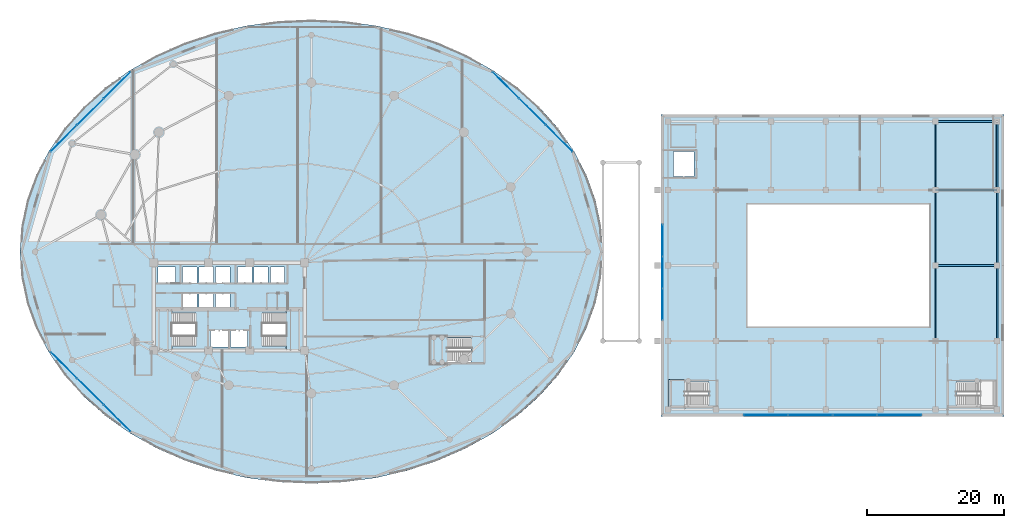
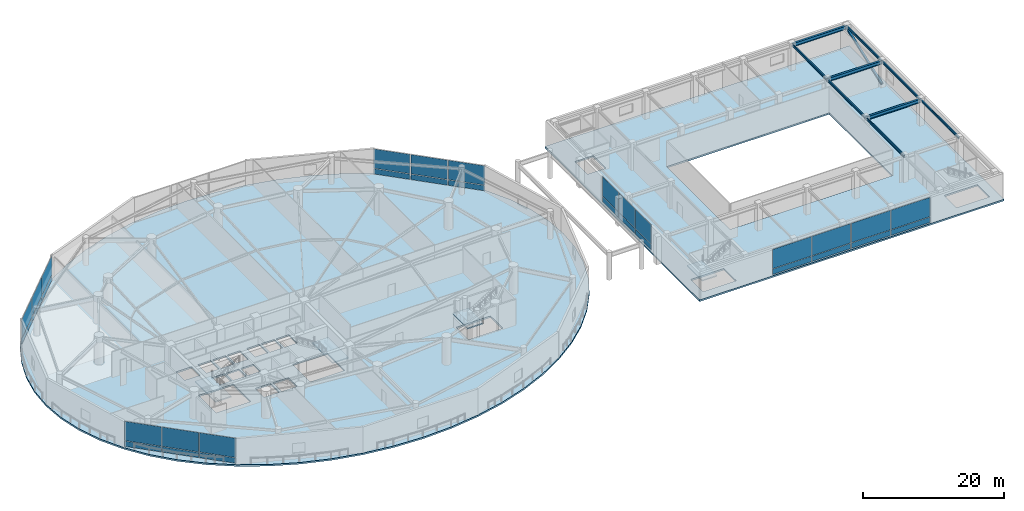
# One storey, part 24 of 40: 32 plates, 9 beams, 6 slabs, 1 member, 10 elements without a shape of their own.
"""IFC4 building model written with IfcOpenShell, lengths in metres."""

from ifc_helpers import new_model, si_unit, direction, frame, origin, origin_2d, place, context, subcontext, project, spatial, polyline, rectangle, hollow_rectangle, i_section, outline, extrude, material, layer, layer_set, material_profile, profile_set, type_object, element, aggregate, save


model = new_model("IFC4")

# Units and contexts
model_context = context("Model", 3, precision=1e-05, world=origin(), true_north=direction((0.0, 1.0)))
body_context = subcontext(model_context, "Body", "Model", "MODEL_VIEW")
ifc_project = project(units=[si_unit("LENGTHUNIT", "METRE"), si_unit("AREAUNIT", "SQUARE_METRE"), si_unit("VOLUMEUNIT", "CUBIC_METRE"), si_unit("PLANEANGLEUNIT", "RADIAN"), si_unit("MASSUNIT", "GRAM", prefix="KILO")], contexts=[model_context])

# Site, building, storey
site_placement = place(None, origin())
site = spatial("IfcSite", under=ifc_project, at=site_placement, CompositionType="ELEMENT")
building_placement = place(site_placement, origin())
building = spatial("IfcBuilding", under=site, at=building_placement, Name="Kazevale Care Tower and Concert Hall", CompositionType="ELEMENT")
storey_placement = place(building_placement, frame((0.0, 0.0, 4.800048828125)))
storey = spatial("IfcBuildingStorey", under=building, at=storey_placement, Name="L01", CompositionType="ELEMENT", Elevation=4.800048828125)

# Beams
ifc_material_1 = material(Name="Steel ASTM A572 Gr 50", Category="steel")
ifc_material_profile_1 = material_profile(ifc_material_1, i_section(OverallWidth=0.323974609375, OverallDepth=0.611083984375, WebThickness=0.0126953125, FlangeThickness=0.01904296875, at=origin_2d()), Name="W610x155")
ifc_profile_set_1 = profile_set([ifc_material_profile_1], Name="Steel ASTM A572 Gr 50")
beam_type_1 = type_object("IfcBeamType", Name="Concert Hall Frame Girder W610x155", PredefinedType="BEAM", material=ifc_profile_set_1)
for number, where, z_axis, x_axis, name in (
    (1, (136.0, 36.0, 4.21435546875), (1.0, 0.0, 0.0), (0.0, 1.0, 0.0), "beam:L01:hx:136_36"),
    (2, (136.0, 47.0, 4.21435546875), (1.0, 0.0, 0.0), (0.0, 1.0, 0.0), "beam:L01:hx:136_47"),
    (3, (136.0, 57.0, 4.21435546875), (1.0, 0.0, 0.0), (0.0, 1.0, 0.0), "beam:L01:hx:136_57"),
):
    element("IfcBeam", number, at=place(storey_placement, frame(where, z_axis=z_axis, x_axis=x_axis)), inside=storey, type_object=beam_type_1, Name=name, PredefinedType="BEAM", context=body_context, shape_type="SweptSolid", body=[
        extrude(i_section(OverallWidth=0.323974609375, OverallDepth=0.611083984375, WebThickness=0.0126953125, FlangeThickness=0.01904296875, at=origin_2d()), origin(), (0.0, 0.0, 1.0), 9.0),
    ])
ifc_material_profile_2 = material_profile(ifc_material_1, i_section(OverallWidth=0.180908203125, OverallDepth=0.4169921875, WebThickness=0.010986328125, FlangeThickness=0.018310546875, at=origin_2d()), Name="W410x85")
ifc_profile_set_2 = profile_set([ifc_material_profile_2], Name="Steel ASTM A572 Gr 50")
beam_type_2 = type_object("IfcBeamType", Name="Concert Hall Secondary Beam W410x85", PredefinedType="BEAM", material=ifc_profile_set_2)
for number, where, z_axis, x_axis, name in (
    (4, (136.0, 25.0, 4.3115234375), (0.0, 1.0, 0.0), (-1.0, 0.0, 0.0), "beam:L01:hy:136_25"),
    (5, (136.0, 36.0, 4.3115234375), (0.0, 1.0, 0.0), (-1.0, 0.0, 0.0), "beam:L01:hy:136_36"),
):
    element("IfcBeam", number, at=place(storey_placement, frame(where, z_axis=z_axis, x_axis=x_axis)), inside=storey, type_object=beam_type_2, Name=name, PredefinedType="BEAM", context=body_context, shape_type="SweptSolid", body=[
        extrude(i_section(OverallWidth=0.180908203125, OverallDepth=0.4169921875, WebThickness=0.010986328125, FlangeThickness=0.018310546875, at=origin_2d()), origin(), (0.0, 0.0, 1.0), 11.0),
    ])
beam_1_placement = place(storey_placement, frame((136.0, 47.0, 4.3115234375), z_axis=(0.0, 1.0, 0.0), x_axis=(-1.0, 0.0, 0.0)))
element("IfcBeam", 6, at=beam_1_placement, inside=storey, type_object=beam_type_2, Name="beam:L01:hy:136_47", PredefinedType="BEAM", context=body_context, shape_type="SweptSolid", body=[
    extrude(i_section(OverallWidth=0.180908203125, OverallDepth=0.4169921875, WebThickness=0.010986328125, FlangeThickness=0.018310546875, at=origin_2d()), origin(), (0.0, 0.0, 1.0), 10.0),
])
for number, where, z_axis, x_axis, name in (
    (7, (145.0, 25.0, 4.3115234375), (0.0, 1.0, 0.0), (-1.0, 0.0, 0.0), "beam:L01:hy:145_25"),
    (8, (145.0, 36.0, 4.3115234375), (0.0, 1.0, 0.0), (-1.0, 0.0, 0.0), "beam:L01:hy:145_36"),
):
    element("IfcBeam", number, at=place(storey_placement, frame(where, z_axis=z_axis, x_axis=x_axis)), inside=storey, type_object=beam_type_2, Name=name, PredefinedType="BEAM", context=body_context, shape_type="SweptSolid", body=[
        extrude(i_section(OverallWidth=0.180908203125, OverallDepth=0.4169921875, WebThickness=0.010986328125, FlangeThickness=0.018310546875, at=origin_2d()), origin(), (0.0, 0.0, 1.0), 11.0),
    ])
beam_2_placement = place(storey_placement, frame((145.0, 47.0, 4.3115234375), z_axis=(0.0, 1.0, 0.0), x_axis=(-1.0, 0.0, 0.0)))
element("IfcBeam", 9, at=beam_2_placement, inside=storey, type_object=beam_type_2, Name="beam:L01:hy:145_47", PredefinedType="BEAM", context=body_context, shape_type="SweptSolid", body=[
    extrude(i_section(OverallWidth=0.180908203125, OverallDepth=0.4169921875, WebThickness=0.010986328125, FlangeThickness=0.018310546875, at=origin_2d()), origin(), (0.0, 0.0, 1.0), 10.0),
])

# Member
ifc_material_profile_3 = material_profile(ifc_material_1, hollow_rectangle(XDim=0.300048828125, YDim=0.300048828125, WallThickness=0.02001953125, at=origin_2d()), Name="SHS300x300x20")
ifc_profile_set_3 = profile_set([ifc_material_profile_3], Name="Steel ASTM A572 Gr 50")
member_type = type_object("IfcMemberType", Name="Concert Hall Wall Brace SHS300x300x20", PredefinedType="BRACE", material=ifc_profile_set_3)
member_placement = place(storey_placement, frame((145.0, 47.0, 0.39990234375), z_axis=(0.0, 0.940283079424, 0.340393493694), x_axis=(-1.0, 0.0, 0.0)))
element("IfcMember", 10, at=member_placement, inside=storey, type_object=member_type, Name="brace:L01:hwW", PredefinedType="BRACE", context=body_context, shape_type="SweptSolid", body=[
    extrude(hollow_rectangle(XDim=0.300048828125, YDim=0.300048828125, WallThickness=0.02001953125, at=origin_2d()), origin(), (0.0, 0.0, 1.0), 10.635009765625),
])

# Curtain wall, plates
ifc_material_2 = material(Name="Aluminium 6063-T6 and Low-E Glass", Category="aluminium")
ifc_layer_1 = layer(ifc_material_2, 0.179931640625)
ifc_layer_set_1 = layer_set([ifc_layer_1], Name="Aluminium 6063-T6 and Low-E Glass")
curtain_wall_type_1 = type_object("IfcCurtainWallType", Name="Podium Double-Skin Medical Curtain Wall CW-1", PredefinedType="NOTDEFINED", material=ifc_layer_set_1)
curtain_wall_1_placement = place(storey_placement, origin())
curtain_wall_1 = element("IfcCurtainWall", 11, at=curtain_wall_1_placement, inside=storey, type_object=curtain_wall_type_1, Name="cw:L01:pod:02", PredefinedType="NOTDEFINED")
ifc_material_3 = material(Name="Low-E Laminated Glass", Category="glass")
ifc_layer_2 = layer(ifc_material_3, 0.030029296875)
ifc_layer_set_2 = layer_set([ifc_layer_2], Name="Low-E Laminated Glass")
plate_type_1 = type_object("IfcPlateType", Name="CW-1 Low-E Glazing Panel 30mm", PredefinedType="CURTAIN_PANEL", material=ifc_layer_set_2)
plate_1_placement = place(storey_placement, frame((81.121826171875, 54.533203125, 0.080078125), z_axis=(0.0, 0.0, 1.0), x_axis=(-0.708554776856, 0.705655814257, 0.0)))
plate_1 = element("IfcPlate", 12, at=plate_1_placement, type_object=plate_type_1, Name="CW-1 panel 1.1", PredefinedType="CURTAIN_PANEL", context=body_context, shape_type="SweptSolid", body=[
    extrude(rectangle(XDim=5.38427734375, YDim=0.030029296875, at=origin_2d()), origin(), (0.0, 0.0, 1.0), 0.929931640625),
])
plate_2_placement = place(storey_placement, frame((81.121826171875, 54.533203125, 1.08984375), z_axis=(0.0, 0.0, 1.0), x_axis=(-0.708554776856, 0.705655814257, 0.0)))
plate_2 = element("IfcPlate", 13, at=plate_2_placement, type_object=plate_type_1, Name="CW-1 panel 1.2", PredefinedType="CURTAIN_PANEL", context=body_context, shape_type="SweptSolid", body=[
    extrude(rectangle(XDim=5.38427734375, YDim=0.030029296875, at=origin_2d()), origin(), (0.0, 0.0, 1.0), 3.35009765625),
])
plate_3_placement = place(storey_placement, frame((77.22705078125, 58.412109375, 0.080078125), z_axis=(0.0, 0.0, 1.0), x_axis=(-0.708554776856, 0.705655814257, 0.0)))
plate_3 = element("IfcPlate", 14, at=plate_3_placement, type_object=plate_type_1, Name="CW-1 panel 2.1", PredefinedType="CURTAIN_PANEL", context=body_context, shape_type="SweptSolid", body=[
    extrude(rectangle(XDim=5.42919921875, YDim=0.030029296875, at=origin_2d()), origin(), (0.0, 0.0, 1.0), 0.929931640625),
])
plate_4_placement = place(storey_placement, frame((77.22705078125, 58.412109375, 1.08984375), z_axis=(0.0, 0.0, 1.0), x_axis=(-0.708554776856, 0.705655814257, 0.0)))
plate_4 = element("IfcPlate", 15, at=plate_4_placement, type_object=plate_type_1, Name="CW-1 panel 2.2", PredefinedType="CURTAIN_PANEL", context=body_context, shape_type="SweptSolid", body=[
    extrude(rectangle(XDim=5.42919921875, YDim=0.030029296875, at=origin_2d()), origin(), (0.0, 0.0, 1.0), 3.35009765625),
])
plate_5_placement = place(storey_placement, frame((73.332275390625, 62.290771484375, 0.080078125), z_axis=(0.0, 0.0, 1.0), x_axis=(-0.708554776856, 0.705655814257, 0.0)))
plate_5 = element("IfcPlate", 16, at=plate_5_placement, type_object=plate_type_1, Name="CW-1 panel 3.1", PredefinedType="CURTAIN_PANEL", context=body_context, shape_type="SweptSolid", body=[
    extrude(rectangle(XDim=5.38427734375, YDim=0.030029296875, at=origin_2d()), origin(), (0.0, 0.0, 1.0), 0.929931640625),
])
plate_6_placement = place(storey_placement, frame((73.332275390625, 62.290771484375, 1.08984375), z_axis=(0.0, 0.0, 1.0), x_axis=(-0.708554776856, 0.705655814257, 0.0)))
plate_6 = element("IfcPlate", 17, at=plate_6_placement, type_object=plate_type_1, Name="CW-1 panel 3.2", PredefinedType="CURTAIN_PANEL", context=body_context, shape_type="SweptSolid", body=[
    extrude(rectangle(XDim=5.38427734375, YDim=0.030029296875, at=origin_2d()), origin(), (0.0, 0.0, 1.0), 3.35009765625),
])
aggregate(curtain_wall_1, [plate_1, plate_2, plate_3, plate_4, plate_5, plate_6])

curtain_wall_2_placement = place(storey_placement, origin())
curtain_wall_2 = element("IfcCurtainWall", 18, at=curtain_wall_2_placement, inside=storey, type_object=curtain_wall_type_1, Name="cw:L01:pod:06", PredefinedType="NOTDEFINED")
plate_7_placement = place(storey_placement, frame((16.667724609375, 62.290771484375, 0.080078125), z_axis=(0.0, 0.0, 1.0), x_axis=(-0.708554776856, -0.705655814257, 0.0)))
plate_7 = element("IfcPlate", 19, at=plate_7_placement, type_object=plate_type_1, Name="CW-1 panel 1.1", PredefinedType="CURTAIN_PANEL", context=body_context, shape_type="SweptSolid", body=[
    extrude(rectangle(XDim=5.38427734375, YDim=0.030029296875, at=origin_2d()), origin(), (0.0, 0.0, 1.0), 0.929931640625),
])
plate_8_placement = place(storey_placement, frame((16.667724609375, 62.290771484375, 1.08984375), z_axis=(0.0, 0.0, 1.0), x_axis=(-0.708554776856, -0.705655814257, 0.0)))
plate_8 = element("IfcPlate", 20, at=plate_8_placement, type_object=plate_type_1, Name="CW-1 panel 1.2", PredefinedType="CURTAIN_PANEL", context=body_context, shape_type="SweptSolid", body=[
    extrude(rectangle(XDim=5.38427734375, YDim=0.030029296875, at=origin_2d()), origin(), (0.0, 0.0, 1.0), 3.35009765625),
])
plate_9_placement = place(storey_placement, frame((12.77294921875, 58.412109375, 0.080078125), z_axis=(0.0, 0.0, 1.0), x_axis=(-0.708554776856, -0.705655814257, 0.0)))
plate_9 = element("IfcPlate", 21, at=plate_9_placement, type_object=plate_type_1, Name="CW-1 panel 2.1", PredefinedType="CURTAIN_PANEL", context=body_context, shape_type="SweptSolid", body=[
    extrude(rectangle(XDim=5.42919921875, YDim=0.030029296875, at=origin_2d()), origin(), (0.0, 0.0, 1.0), 0.929931640625),
])
plate_10_placement = place(storey_placement, frame((12.77294921875, 58.412109375, 1.08984375), z_axis=(0.0, 0.0, 1.0), x_axis=(-0.708554776856, -0.705655814257, 0.0)))
plate_10 = element("IfcPlate", 22, at=plate_10_placement, type_object=plate_type_1, Name="CW-1 panel 2.2", PredefinedType="CURTAIN_PANEL", context=body_context, shape_type="SweptSolid", body=[
    extrude(rectangle(XDim=5.42919921875, YDim=0.030029296875, at=origin_2d()), origin(), (0.0, 0.0, 1.0), 3.35009765625),
])
plate_11_placement = place(storey_placement, frame((8.878173828125, 54.533203125, 0.080078125), z_axis=(0.0, 0.0, 1.0), x_axis=(-0.708554776856, -0.705655814257, 0.0)))
plate_11 = element("IfcPlate", 23, at=plate_11_placement, type_object=plate_type_1, Name="CW-1 panel 3.1", PredefinedType="CURTAIN_PANEL", context=body_context, shape_type="SweptSolid", body=[
    extrude(rectangle(XDim=5.38427734375, YDim=0.030029296875, at=origin_2d()), origin(), (0.0, 0.0, 1.0), 0.929931640625),
])
plate_12_placement = place(storey_placement, frame((8.878173828125, 54.533203125, 1.08984375), z_axis=(0.0, 0.0, 1.0), x_axis=(-0.708554776856, -0.705655814257, 0.0)))
plate_12 = element("IfcPlate", 24, at=plate_12_placement, type_object=plate_type_1, Name="CW-1 panel 3.2", PredefinedType="CURTAIN_PANEL", context=body_context, shape_type="SweptSolid", body=[
    extrude(rectangle(XDim=5.38427734375, YDim=0.030029296875, at=origin_2d()), origin(), (0.0, 0.0, 1.0), 3.35009765625),
])
aggregate(curtain_wall_2, [plate_7, plate_8, plate_9, plate_10, plate_11, plate_12])

curtain_wall_3_placement = place(storey_placement, origin())
curtain_wall_3 = element("IfcCurtainWall", 25, at=curtain_wall_3_placement, inside=storey, type_object=curtain_wall_type_1, Name="cw:L01:pod:09", PredefinedType="NOTDEFINED")
plate_13_placement = place(storey_placement, frame((8.878173828125, 21.466796875, 0.080078125), z_axis=(0.0, 0.0, 1.0), x_axis=(0.708554776856, -0.705655814257, 0.0)))
plate_13 = element("IfcPlate", 26, at=plate_13_placement, type_object=plate_type_1, Name="CW-1 panel 1.1", PredefinedType="CURTAIN_PANEL", context=body_context, shape_type="SweptSolid", body=[
    extrude(rectangle(XDim=5.38427734375, YDim=0.030029296875, at=origin_2d()), origin(), (0.0, 0.0, 1.0), 0.929931640625),
])
plate_14_placement = place(storey_placement, frame((8.878173828125, 21.466796875, 1.08984375), z_axis=(0.0, 0.0, 1.0), x_axis=(0.708554776856, -0.705655814257, 0.0)))
plate_14 = element("IfcPlate", 27, at=plate_14_placement, type_object=plate_type_1, Name="CW-1 panel 1.2", PredefinedType="CURTAIN_PANEL", context=body_context, shape_type="SweptSolid", body=[
    extrude(rectangle(XDim=5.38427734375, YDim=0.030029296875, at=origin_2d()), origin(), (0.0, 0.0, 1.0), 3.35009765625),
])
plate_15_placement = place(storey_placement, frame((12.77294921875, 17.587890625, 0.080078125), z_axis=(0.0, 0.0, 1.0), x_axis=(0.708554776856, -0.705655814257, 0.0)))
plate_15 = element("IfcPlate", 28, at=plate_15_placement, type_object=plate_type_1, Name="CW-1 panel 2.1", PredefinedType="CURTAIN_PANEL", context=body_context, shape_type="SweptSolid", body=[
    extrude(rectangle(XDim=5.42919921875, YDim=0.030029296875, at=origin_2d()), origin(), (0.0, 0.0, 1.0), 0.929931640625),
])
plate_16_placement = place(storey_placement, frame((12.77294921875, 17.587890625, 1.08984375), z_axis=(0.0, 0.0, 1.0), x_axis=(0.708554776856, -0.705655814257, 0.0)))
plate_16 = element("IfcPlate", 29, at=plate_16_placement, type_object=plate_type_1, Name="CW-1 panel 2.2", PredefinedType="CURTAIN_PANEL", context=body_context, shape_type="SweptSolid", body=[
    extrude(rectangle(XDim=5.42919921875, YDim=0.030029296875, at=origin_2d()), origin(), (0.0, 0.0, 1.0), 3.35009765625),
])
plate_17_placement = place(storey_placement, frame((16.667724609375, 13.709228515625, 0.080078125), z_axis=(0.0, 0.0, 1.0), x_axis=(0.708554776856, -0.705655814257, 0.0)))
plate_17 = element("IfcPlate", 30, at=plate_17_placement, type_object=plate_type_1, Name="CW-1 panel 3.1", PredefinedType="CURTAIN_PANEL", context=body_context, shape_type="SweptSolid", body=[
    extrude(rectangle(XDim=5.38427734375, YDim=0.030029296875, at=origin_2d()), origin(), (0.0, 0.0, 1.0), 0.929931640625),
])
plate_18_placement = place(storey_placement, frame((16.667724609375, 13.709228515625, 1.08984375), z_axis=(0.0, 0.0, 1.0), x_axis=(0.708554776856, -0.705655814257, 0.0)))
plate_18 = element("IfcPlate", 31, at=plate_18_placement, type_object=plate_type_1, Name="CW-1 panel 3.2", PredefinedType="CURTAIN_PANEL", context=body_context, shape_type="SweptSolid", body=[
    extrude(rectangle(XDim=5.38427734375, YDim=0.030029296875, at=origin_2d()), origin(), (0.0, 0.0, 1.0), 3.35009765625),
])
aggregate(curtain_wall_3, [plate_13, plate_14, plate_15, plate_16, plate_17, plate_18])

ifc_layer_3 = layer(ifc_material_2, 0.179931640625)
ifc_layer_set_3 = layer_set([ifc_layer_3], Name="Aluminium 6063-T6 and Low-E Glass")
curtain_wall_type_2 = type_object("IfcCurtainWallType", Name="Concert Hall Foyer Storefront Curtain Wall CW-6", PredefinedType="NOTDEFINED", material=ifc_layer_set_3)
curtain_wall_4_placement = place(storey_placement, origin())
curtain_wall_4 = element("IfcCurtainWall", 32, at=curtain_wall_4_placement, inside=storey, type_object=curtain_wall_type_2, Name="cw:L01:hall:S2", PredefinedType="NOTDEFINED")
ifc_layer_4 = layer(ifc_material_3, 0.031982421875)
ifc_layer_set_4 = layer_set([ifc_layer_4], Name="Low-E Laminated Glass")
plate_type_2 = type_object("IfcPlateType", Name="CW-6 Low-E Glazing Panel 32mm", PredefinedType="CURTAIN_PANEL", material=ifc_layer_set_4)
plate_19_placement = place(storey_placement, frame((111.2724609375, 14.199951171875, 0.080078125), z_axis=(0.0, 0.0, 1.0), x_axis=(1.0, 0.0, 0.0)))
plate_19 = element("IfcPlate", 33, at=plate_19_placement, type_object=plate_type_2, Name="CW-6 panel 1.1", PredefinedType="CURTAIN_PANEL", context=body_context, shape_type="SweptSolid", body=[
    extrude(rectangle(XDim=6.364990234375, YDim=0.031982421875, at=origin_2d()), origin(), (0.0, 0.0, 1.0), 0.929931640625),
])
plate_20_placement = place(storey_placement, frame((111.2724609375, 14.199951171875, 1.08984375), z_axis=(0.0, 0.0, 1.0), x_axis=(1.0, 0.0, 0.0)))
plate_20 = element("IfcPlate", 34, at=plate_20_placement, type_object=plate_type_2, Name="CW-6 panel 1.2", PredefinedType="CURTAIN_PANEL", context=body_context, shape_type="SweptSolid", body=[
    extrude(rectangle(XDim=6.364990234375, YDim=0.031982421875, at=origin_2d()), origin(), (0.0, 0.0, 1.0), 3.35009765625),
])
plate_21_placement = place(storey_placement, frame((117.7275390625, 14.199951171875, 0.080078125), z_axis=(0.0, 0.0, 1.0), x_axis=(1.0, 0.0, 0.0)))
plate_21 = element("IfcPlate", 35, at=plate_21_placement, type_object=plate_type_2, Name="CW-6 panel 2.1", PredefinedType="CURTAIN_PANEL", context=body_context, shape_type="SweptSolid", body=[
    extrude(rectangle(XDim=6.364990234375, YDim=0.031982421875, at=origin_2d()), origin(), (0.0, 0.0, 1.0), 0.929931640625),
])
plate_22_placement = place(storey_placement, frame((117.7275390625, 14.199951171875, 1.08984375), z_axis=(0.0, 0.0, 1.0), x_axis=(1.0, 0.0, 0.0)))
plate_22 = element("IfcPlate", 36, at=plate_22_placement, type_object=plate_type_2, Name="CW-6 panel 2.2", PredefinedType="CURTAIN_PANEL", context=body_context, shape_type="SweptSolid", body=[
    extrude(rectangle(XDim=6.364990234375, YDim=0.031982421875, at=origin_2d()), origin(), (0.0, 0.0, 1.0), 3.35009765625),
])
aggregate(curtain_wall_4, [plate_19, plate_20, plate_21, plate_22])

curtain_wall_5_placement = place(storey_placement, origin())
curtain_wall_5 = element("IfcCurtainWall", 37, at=curtain_wall_5_placement, inside=storey, type_object=curtain_wall_type_2, Name="cw:L01:hall:S3", PredefinedType="NOTDEFINED")
plate_23_placement = place(storey_placement, frame((124.2724609375, 14.199951171875, 0.080078125), z_axis=(0.0, 0.0, 1.0), x_axis=(1.0, 0.0, 0.0)))
plate_23 = element("IfcPlate", 38, at=plate_23_placement, type_object=plate_type_2, Name="CW-6 panel 1.1", PredefinedType="CURTAIN_PANEL", context=body_context, shape_type="SweptSolid", body=[
    extrude(rectangle(XDim=6.364990234375, YDim=0.031982421875, at=origin_2d()), origin(), (0.0, 0.0, 1.0), 0.929931640625),
])
plate_24_placement = place(storey_placement, frame((124.2724609375, 14.199951171875, 1.08984375), z_axis=(0.0, 0.0, 1.0), x_axis=(1.0, 0.0, 0.0)))
plate_24 = element("IfcPlate", 39, at=plate_24_placement, type_object=plate_type_2, Name="CW-6 panel 1.2", PredefinedType="CURTAIN_PANEL", context=body_context, shape_type="SweptSolid", body=[
    extrude(rectangle(XDim=6.364990234375, YDim=0.031982421875, at=origin_2d()), origin(), (0.0, 0.0, 1.0), 3.35009765625),
])
plate_25_placement = place(storey_placement, frame((130.7275390625, 14.199951171875, 0.080078125), z_axis=(0.0, 0.0, 1.0), x_axis=(1.0, 0.0, 0.0)))
plate_25 = element("IfcPlate", 40, at=plate_25_placement, type_object=plate_type_2, Name="CW-6 panel 2.1", PredefinedType="CURTAIN_PANEL", context=body_context, shape_type="SweptSolid", body=[
    extrude(rectangle(XDim=6.364990234375, YDim=0.031982421875, at=origin_2d()), origin(), (0.0, 0.0, 1.0), 0.929931640625),
])
plate_26_placement = place(storey_placement, frame((130.7275390625, 14.199951171875, 1.08984375), z_axis=(0.0, 0.0, 1.0), x_axis=(1.0, 0.0, 0.0)))
plate_26 = element("IfcPlate", 41, at=plate_26_placement, type_object=plate_type_2, Name="CW-6 panel 2.2", PredefinedType="CURTAIN_PANEL", context=body_context, shape_type="SweptSolid", body=[
    extrude(rectangle(XDim=6.364990234375, YDim=0.031982421875, at=origin_2d()), origin(), (0.0, 0.0, 1.0), 3.35009765625),
])
aggregate(curtain_wall_5, [plate_23, plate_24, plate_25, plate_26])

curtain_wall_6_placement = place(storey_placement, origin())
curtain_wall_6 = element("IfcCurtainWall", 42, at=curtain_wall_6_placement, inside=storey, type_object=curtain_wall_type_2, Name="cw:L01:hall:W2", PredefinedType="NOTDEFINED")
plate_27_placement = place(storey_placement, frame((96.199951171875, 39.644287109375, 0.080078125), z_axis=(0.0, 0.0, 1.0), x_axis=(0.0, -1.0, 0.0)))
plate_27 = element("IfcPlate", 43, at=plate_27_placement, type_object=plate_type_2, Name="CW-6 panel 1.1", PredefinedType="CURTAIN_PANEL", context=body_context, shape_type="SweptSolid", body=[
    extrude(rectangle(XDim=4.53173828125, YDim=0.031982421875, at=origin_2d()), origin(), (0.0, 0.0, 1.0), 0.929931640625),
])
plate_28_placement = place(storey_placement, frame((96.199951171875, 39.644287109375, 1.08984375), z_axis=(0.0, 0.0, 1.0), x_axis=(0.0, -1.0, 0.0)))
plate_28 = element("IfcPlate", 44, at=plate_28_placement, type_object=plate_type_2, Name="CW-6 panel 1.2", PredefinedType="CURTAIN_PANEL", context=body_context, shape_type="SweptSolid", body=[
    extrude(rectangle(XDim=4.53173828125, YDim=0.031982421875, at=origin_2d()), origin(), (0.0, 0.0, 1.0), 3.35009765625),
])
plate_29_placement = place(storey_placement, frame((96.199951171875, 35.0, 0.080078125), z_axis=(0.0, 0.0, 1.0), x_axis=(0.0, -1.0, 0.0)))
plate_29 = element("IfcPlate", 45, at=plate_29_placement, type_object=plate_type_2, Name="CW-6 panel 2.1", PredefinedType="CURTAIN_PANEL", context=body_context, shape_type="SweptSolid", body=[
    extrude(rectangle(XDim=4.57666015625, YDim=0.031982421875, at=origin_2d()), origin(), (0.0, 0.0, 1.0), 0.929931640625),
])
plate_30_placement = place(storey_placement, frame((96.199951171875, 35.0, 1.08984375), z_axis=(0.0, 0.0, 1.0), x_axis=(0.0, -1.0, 0.0)))
plate_30 = element("IfcPlate", 46, at=plate_30_placement, type_object=plate_type_2, Name="CW-6 panel 2.2", PredefinedType="CURTAIN_PANEL", context=body_context, shape_type="SweptSolid", body=[
    extrude(rectangle(XDim=4.57666015625, YDim=0.031982421875, at=origin_2d()), origin(), (0.0, 0.0, 1.0), 3.35009765625),
])
plate_31_placement = place(storey_placement, frame((96.199951171875, 30.355712890625, 0.080078125), z_axis=(0.0, 0.0, 1.0), x_axis=(0.0, -1.0, 0.0)))
plate_31 = element("IfcPlate", 47, at=plate_31_placement, type_object=plate_type_2, Name="CW-6 panel 3.1", PredefinedType="CURTAIN_PANEL", context=body_context, shape_type="SweptSolid", body=[
    extrude(rectangle(XDim=4.53173828125, YDim=0.031982421875, at=origin_2d()), origin(), (0.0, 0.0, 1.0), 0.929931640625),
])
plate_32_placement = place(storey_placement, frame((96.199951171875, 30.355712890625, 1.08984375), z_axis=(0.0, 0.0, 1.0), x_axis=(0.0, -1.0, 0.0)))
plate_32 = element("IfcPlate", 48, at=plate_32_placement, type_object=plate_type_2, Name="CW-6 panel 3.2", PredefinedType="CURTAIN_PANEL", context=body_context, shape_type="SweptSolid", body=[
    extrude(rectangle(XDim=4.53173828125, YDim=0.031982421875, at=origin_2d()), origin(), (0.0, 0.0, 1.0), 3.35009765625),
])
aggregate(curtain_wall_6, [plate_27, plate_28, plate_29, plate_30, plate_31, plate_32])

# Slabs
ifc_material_4 = material(Name="Concrete C40", Category="concrete")
ifc_layer_5 = layer(ifc_material_4, 0.280029296875)
ifc_layer_set_5 = layer_set([ifc_layer_5], Name="Concrete C40")
slab_type_1 = type_object("IfcSlabType", Name="Concert Hall Floor Slab 280", PredefinedType="FLOOR", material=ifc_layer_set_5)
slab_1_placement = place(storey_placement, frame((0.0, 0.0, -0.280029296875)))
element("IfcSlab", 49, at=slab_1_placement, inside=storey, type_object=slab_type_1, Name="slab:L01:hall", PredefinedType="FLOOR", context=body_context, shape_type="SweptSolid", body=[
    extrude(outline(polyline([(96.0, 14.0), (146.0, 14.0), (146.0, 58.0), (96.0, 58.0), (96.0, 14.0)]), holes=[polyline([(97.449951171875, 15.550048828125), (102.909912109375, 15.550048828125), (102.909912109375, 19.050048828125), (97.449951171875, 19.050048828125), (97.449951171875, 15.550048828125)]), polyline([(139.090087890625, 15.550048828125), (144.550048828125, 15.550048828125), (144.550048828125, 19.050048828125), (139.090087890625, 19.050048828125), (139.090087890625, 15.550048828125)]), polyline([(97.800048828125, 49.0), (100.800048828125, 49.0), (100.800048828125, 52.60009765625), (97.800048828125, 52.60009765625), (97.800048828125, 49.0)]), polyline([(108.5, 27.0), (135.199951171875, 27.0), (135.199951171875, 45.0), (108.5, 45.0), (108.5, 27.0)])]), origin(), (0.0, 0.0, 1.0), 0.280029296875),
])
ifc_layer_6 = layer(ifc_material_4, 0.280029296875)
ifc_layer_set_6 = layer_set([ifc_layer_6], Name="Concrete C40")
slab_type_2 = type_object("IfcSlabType", Name="Podium Clinic Floor Slab 280", PredefinedType="FLOOR", material=ifc_layer_set_6)
slab_2_placement = place(storey_placement, frame((0.0, 0.0, -0.280029296875)))
element("IfcSlab", 50, at=slab_2_placement, inside=storey, type_object=slab_type_2, Name="slab:L01:tw:1", PredefinedType="FLOOR", context=body_context, shape_type="SweptSolid", body=[
    extrude(outline(polyline([(87.5, 38.0), (87.23291015625, 41.784423828125), (86.434326171875, 45.521240234375), (85.114990234375, 49.163330078125), (83.291259765625, 52.665283203125), (80.98583984375, 55.982666015625), (78.227783203125, 59.073974609375), (75.052001953125, 61.900146484375), (71.498291015625, 64.42578125), (67.611328125, 66.619384765625), (63.440185546875, 68.45263671875), (59.036865234375, 69.9033203125), (54.45703125, 70.95263671875), (49.758544921875, 71.58740234375), (45.0, 71.800048828125), (40.241455078125, 71.58740234375), (35.54296875, 70.95263671875), (30.963134765625, 69.9033203125), (26.559814453125, 68.45263671875), (22.388671875, 66.619384765625), (18.501708984375, 64.42578125), (14.947998046875, 61.900146484375), (11.772216796875, 59.073974609375), (9.01416015625, 55.982666015625), (6.708740234375, 52.665283203125), (4.885009765625, 49.163330078125), (3.565673828125, 45.521240234375), (2.76708984375, 41.784423828125), (2.5, 38.0), (2.76708984375, 34.215576171875), (3.565673828125, 30.478759765625), (4.885009765625, 26.836669921875), (6.708740234375, 23.334716796875), (9.01416015625, 20.017333984375), (11.772216796875, 16.926025390625), (14.947998046875, 14.099853515625), (18.501708984375, 11.57421875), (22.388671875, 9.380615234375), (26.559814453125, 7.54736328125), (30.963134765625, 6.0966796875), (35.54296875, 5.04736328125), (40.241455078125, 4.41259765625), (45.0, 4.199951171875), (49.758544921875, 4.41259765625), (54.45703125, 5.04736328125), (59.036865234375, 6.0966796875), (63.440185546875, 7.54736328125), (67.611328125, 9.380615234375), (71.498291015625, 11.57421875), (75.052001953125, 14.099853515625), (78.227783203125, 16.926025390625), (80.98583984375, 20.017333984375), (83.291259765625, 23.334716796875), (85.114990234375, 26.836669921875), (86.434326171875, 30.478759765625), (87.23291015625, 34.215576171875), (87.5, 38.0)]), holes=[polyline([(22.449951171875, 24.14990234375), (28.110107421875, 24.14990234375), (28.110107421875, 29.14990234375), (22.449951171875, 29.14990234375), (22.449951171875, 24.14990234375)]), polyline([(37.889892578125, 24.14990234375), (43.550048828125, 24.14990234375), (43.550048828125, 29.14990234375), (37.889892578125, 29.14990234375), (37.889892578125, 24.14990234375)]), polyline([(30.300048828125, 24.10009765625), (32.800048828125, 24.10009765625), (32.800048828125, 26.60009765625), (30.300048828125, 26.60009765625), (30.300048828125, 24.10009765625)]), polyline([(33.199951171875, 24.10009765625), (35.699951171875, 24.10009765625), (35.699951171875, 26.60009765625), (33.199951171875, 26.60009765625), (33.199951171875, 24.10009765625)]), polyline([(22.60009765625, 33.39990234375), (25.199951171875, 33.39990234375), (25.199951171875, 35.800048828125), (22.60009765625, 35.800048828125), (22.60009765625, 33.39990234375)]), polyline([(26.199951171875, 33.39990234375), (28.300048828125, 33.39990234375), (28.300048828125, 35.800048828125), (26.199951171875, 35.800048828125), (26.199951171875, 33.39990234375)]), polyline([(28.60009765625, 33.39990234375), (30.699951171875, 33.39990234375), (30.699951171875, 35.800048828125), (28.60009765625, 35.800048828125), (28.60009765625, 33.39990234375)]), polyline([(31.0, 33.39990234375), (33.10009765625, 33.39990234375), (33.10009765625, 35.800048828125), (31.0, 35.800048828125), (31.0, 33.39990234375)]), polyline([(34.199951171875, 33.39990234375), (36.300048828125, 33.39990234375), (36.300048828125, 35.800048828125), (34.199951171875, 35.800048828125), (34.199951171875, 33.39990234375)]), polyline([(36.60009765625, 33.39990234375), (38.699951171875, 33.39990234375), (38.699951171875, 35.800048828125), (36.60009765625, 35.800048828125), (36.60009765625, 33.39990234375)]), polyline([(39.0, 33.39990234375), (41.10009765625, 33.39990234375), (41.10009765625, 35.800048828125), (39.0, 35.800048828125), (39.0, 33.39990234375)]), polyline([(26.199951171875, 29.949951171875), (28.300048828125, 29.949951171875), (28.300048828125, 31.949951171875), (26.199951171875, 31.949951171875), (26.199951171875, 29.949951171875)]), polyline([(28.60009765625, 29.949951171875), (30.699951171875, 29.949951171875), (30.699951171875, 31.949951171875), (28.60009765625, 31.949951171875), (28.60009765625, 29.949951171875)]), polyline([(31.0, 29.949951171875), (33.10009765625, 29.949951171875), (33.10009765625, 31.949951171875), (31.0, 31.949951171875), (31.0, 29.949951171875)]), polyline([(62.60009765625, 21.949951171875), (68.260009765625, 21.949951171875), (68.260009765625, 25.449951171875), (62.60009765625, 25.449951171875), (62.60009765625, 21.949951171875)])]), origin(), (0.0, 0.0, 1.0), 0.280029296875),
])

# Stair, slab
stair_type_1 = type_object("IfcStairType", Name="Exit Stair Assembly ST1-P", PredefinedType="HALF_TURN_STAIR", material=ifc_material_4)
stair_1_placement = place(storey_placement, origin())
stair_1 = element("IfcStair", 51, at=stair_1_placement, inside=storey, type_object=stair_type_1, Name="stair:L01:ST1", PredefinedType="HALF_TURN_STAIR")
ifc_layer_7 = layer(ifc_material_4, 0.199951171875)
ifc_layer_set_7 = layer_set([ifc_layer_7], Name="Concrete C40")
slab_type_3 = type_object("IfcSlabType", Name="Stair Half-Landing Slab ST1-P", PredefinedType="LANDING", material=ifc_layer_set_7)
slab_3_placement = place(storey_placement, frame((0.0, 0.0, 2.199951171875)))
slab_3 = element("IfcSlab", 52, at=slab_3_placement, type_object=slab_type_3, Name="ST1-P landing 1", PredefinedType="LANDING", context=body_context, shape_type="SweptSolid", body=[
    extrude(outline(polyline([(22.050048828125, 23.699951171875), (24.68994140625, 23.699951171875), (24.68994140625, 29.5), (22.050048828125, 29.5), (22.050048828125, 23.699951171875)])), origin(), (0.0, 0.0, 1.0), 0.199951171875),
])
aggregate(stair_1, [slab_3])

stair_2_placement = place(storey_placement, origin())
stair_2 = element("IfcStair", 53, at=stair_2_placement, inside=storey, type_object=stair_type_1, Name="stair:L01:ST2", PredefinedType="HALF_TURN_STAIR")
slab_4_placement = place(storey_placement, frame((0.0, 0.0, 2.199951171875)))
slab_4 = element("IfcSlab", 54, at=slab_4_placement, type_object=slab_type_3, Name="ST1-P landing 1", PredefinedType="LANDING", context=body_context, shape_type="SweptSolid", body=[
    extrude(outline(polyline([(41.31005859375, 23.699951171875), (43.949951171875, 23.699951171875), (43.949951171875, 29.5), (41.31005859375, 29.5), (41.31005859375, 23.699951171875)])), origin(), (0.0, 0.0, 1.0), 0.199951171875),
])
aggregate(stair_2, [slab_4])

stair_type_2 = type_object("IfcStairType", Name="Exit Stair Assembly ST3-P", PredefinedType="HALF_TURN_STAIR", material=ifc_material_4)
stair_3_placement = place(storey_placement, origin())
stair_3 = element("IfcStair", 55, at=stair_3_placement, inside=storey, type_object=stair_type_2, Name="stair:L01:ST3", PredefinedType="HALF_TURN_STAIR")
ifc_layer_8 = layer(ifc_material_4, 0.199951171875)
ifc_layer_set_8 = layer_set([ifc_layer_8], Name="Concrete C40")
slab_type_4 = type_object("IfcSlabType", Name="Stair Half-Landing Slab ST3-P", PredefinedType="LANDING", material=ifc_layer_set_8)
slab_5_placement = place(storey_placement, frame((0.0, 0.0, 2.199951171875)))
slab_5 = element("IfcSlab", 56, at=slab_5_placement, type_object=slab_type_4, Name="ST3-P landing 1", PredefinedType="LANDING", context=body_context, shape_type="SweptSolid", body=[
    extrude(outline(polyline([(62.199951171875, 21.5), (64.840087890625, 21.5), (64.840087890625, 25.800048828125), (62.199951171875, 25.800048828125), (62.199951171875, 21.5)])), origin(), (0.0, 0.0, 1.0), 0.199951171875),
])
aggregate(stair_3, [slab_5])

stair_type_3 = type_object("IfcStairType", Name="Exit Stair Assembly ST4-H", PredefinedType="HALF_TURN_STAIR", material=ifc_material_4)
stair_4_placement = place(storey_placement, origin())
stair_4 = element("IfcStair", 57, at=stair_4_placement, inside=storey, type_object=stair_type_3, Name="stair:L01:ST4", PredefinedType="HALF_TURN_STAIR")
ifc_layer_9 = layer(ifc_material_4, 0.199951171875)
ifc_layer_set_9 = layer_set([ifc_layer_9], Name="Concrete C40")
slab_type_5 = type_object("IfcSlabType", Name="Stair Half-Landing Slab ST4-H", PredefinedType="LANDING", material=ifc_layer_set_9)
slab_6_placement = place(storey_placement, frame((0.0, 0.0, 2.199951171875)))
slab_6 = element("IfcSlab", 58, at=slab_6_placement, type_object=slab_type_5, Name="ST4-H landing 1", PredefinedType="LANDING", context=body_context, shape_type="SweptSolid", body=[
    extrude(outline(polyline([(97.050048828125, 15.10009765625), (99.489990234375, 15.10009765625), (99.489990234375, 19.39990234375), (97.050048828125, 19.39990234375), (97.050048828125, 15.10009765625)])), origin(), (0.0, 0.0, 1.0), 0.199951171875),
])
aggregate(stair_4, [slab_6])

save(model, "model.ifc")
